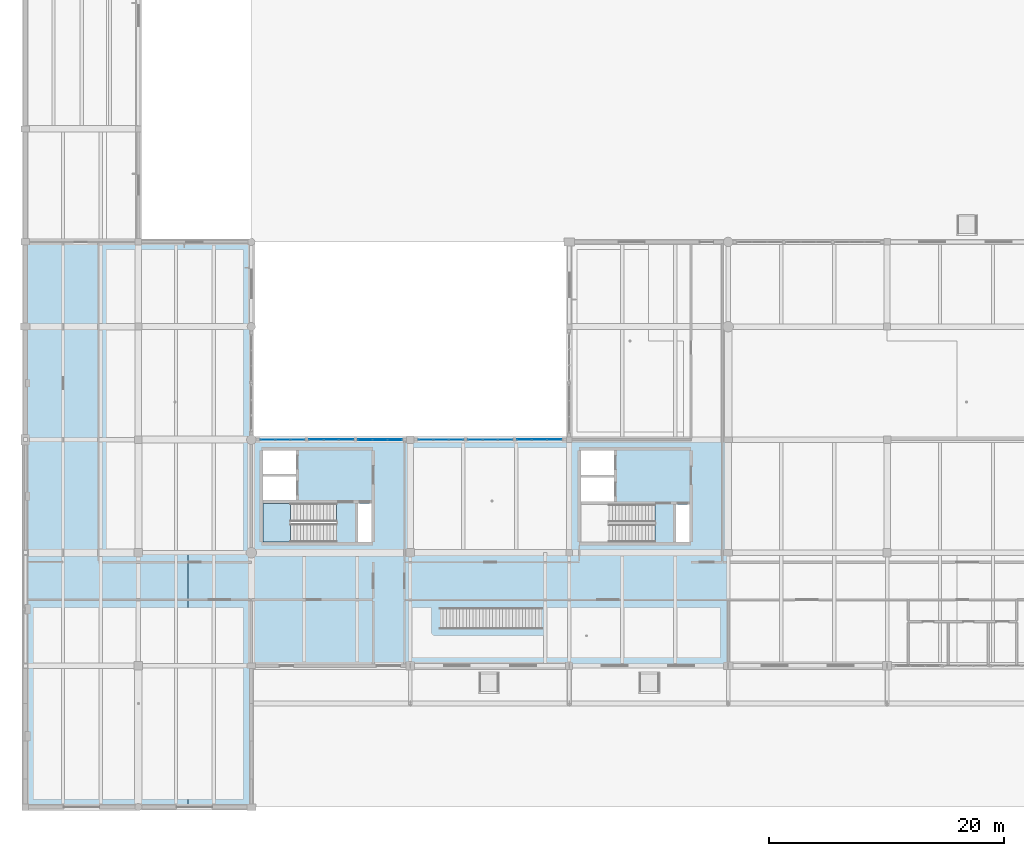
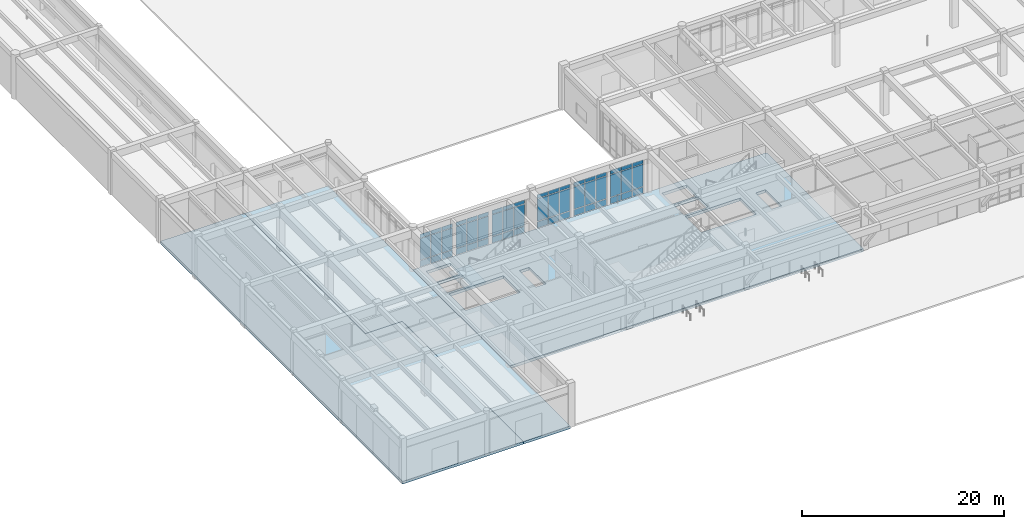
# One storey, part 88 of 138: 54 plates, 4 slabs, 7 elements without a shape of their own.
"""IFC4 building model written with IfcOpenShell, lengths in metres."""

import ifcopenshell
import ifcopenshell.guid

model = None  # the IFC model being written
_history = None  # IfcOwnerHistory: only IFC2X3 demands one
_inside = {}  # id of a spatial element -> (the spatial element, [elements in it])
_under = {}  # id of a project, library or spatial element -> (it, [spatial elements below it])
_declared = {}  # id of a project -> (the project, [libraries it declares])
_typed = {}  # id of a type object -> (the type object, [elements of that type])
_made_of = {}  # id of a material, layer set ... -> (it, [elements and type objects made of it])


def new_model(schema):
    """Start an empty IFC model of exactly this schema.

    Asked for "IFC4X3", IfcOpenShell would pick the latest addendum, in which some entities
    have other attributes; the version numbers below select the first issue.
    IFC2X3 requires an IfcOwnerHistory on every rooted entity: one is made here for all.
    """
    global model, _history
    if schema == "IFC4X3":
        model = ifcopenshell.file(schema_version=(4, 3, 0, 0))
    else:
        model = ifcopenshell.file(schema=schema)
    _inside.clear()
    _under.clear()
    _declared.clear()
    _typed.clear()
    _made_of.clear()
    _history = None
    if model.schema == "IFC2X3":
        org = make("IfcOrganization", Name="unknown")
        user = make(
            "IfcPersonAndOrganization",
            ThePerson=make("IfcPerson", FamilyName="unknown"),
            TheOrganization=org,
        )
        app = make(
            "IfcApplication",
            ApplicationDeveloper=org,
            Version="unknown",
            ApplicationFullName="unknown",
            ApplicationIdentifier="unknown",
        )
        _history = make(
            "IfcOwnerHistory",
            OwningUser=user,
            OwningApplication=app,
            ChangeAction="ADDED",
            CreationDate=0,
        )
    return model


def make(cls, **values):
    """One entity of the class cls with the attributes given. An attribute that is None is left unset."""
    return model.create_entity(
        cls, **{name: value for name, value in values.items() if value is not None}
    )


def rooted(cls, **values):
    """An entity with a GlobalId (a new one), such as an element, a storey or a relation."""
    return make(cls, GlobalId=ifcopenshell.guid.new(), OwnerHistory=_history, **values)


def si_unit(unit_type, name, prefix=None):
    """IfcSIUnit, for example si_unit("LENGTHUNIT", "METRE", prefix="MILLI")."""
    return make("IfcSIUnit", UnitType=unit_type, Prefix=prefix, Name=name)


def assignment(units):
    """IfcUnitAssignment: the units of a project."""
    return None if units is None else make("IfcUnitAssignment", Units=units)


def point(xyz):
    """IfcCartesianPoint."""
    return None if xyz is None else make("IfcCartesianPoint", Coordinates=xyz)


def direction(xyz):
    """IfcDirection."""
    return None if xyz is None else make("IfcDirection", DirectionRatios=xyz)


def frame(location, z_axis=None, x_axis=None):
    """IfcAxis2Placement3D, a coordinate frame: its origin and axes. An axis left out is left unset."""
    return make(
        "IfcAxis2Placement3D",
        Location=point(location),
        Axis=direction(z_axis),
        RefDirection=direction(x_axis),
    )


def frame_2d(location, x_axis=None):
    """IfcAxis2Placement2D, a coordinate frame in the plane: its origin and x axis."""
    return make(
        "IfcAxis2Placement2D", Location=point(location), RefDirection=direction(x_axis)
    )


def origin():
    """The frame at (0, 0, 0) with its axes left unset."""
    return frame((0.0, 0.0, 0.0))


def origin_2d():
    """The frame at (0, 0) in the plane with its x axis left unset."""
    return frame_2d((0.0, 0.0))


def place(relative_to, where):
    """IfcLocalPlacement: puts the frame where relative to a parent placement (None: the world)."""
    return make(
        "IfcLocalPlacement", PlacementRelTo=relative_to, RelativePlacement=where
    )


def context(
    kind, dimensions, precision=None, world=None, true_north=None, identifier=None
):
    """IfcGeometricRepresentationContext, for example the 3D "Model" context."""
    return make(
        "IfcGeometricRepresentationContext",
        ContextIdentifier=identifier,
        ContextType=kind,
        CoordinateSpaceDimension=dimensions,
        Precision=precision,
        WorldCoordinateSystem=world,
        TrueNorth=true_north,
    )


def subcontext(parent, identifier, kind, view, scale=None):
    """IfcGeometricRepresentationSubContext, for example "Body" below "Model"."""
    return make(
        "IfcGeometricRepresentationSubContext",
        ContextIdentifier=identifier,
        ContextType=kind,
        ParentContext=parent,
        TargetScale=scale,
        TargetView=view,
    )


def project(units=None, contexts=None):
    """IfcProject with its units and contexts."""
    return rooted(
        "IfcProject",
        Name="project",
        RepresentationContexts=contexts,
        UnitsInContext=assignment(units),
    )


def spatial(cls, under=None, at=None, **own):
    """A site, building, storey or space (cls), placed at a placement, below another one or the project."""
    s = rooted(cls, ObjectPlacement=at, **own)
    if under is not None:
        _under.setdefault(under.id(), (under, []))[1].append(s)
    return s


def polyline(points):
    """IfcPolyline through the points."""
    return make("IfcPolyline", Points=[point(p) for p in points])


def profile(cls, at=None, kind="AREA", **sizes):
    """A parametric profile (cls). Its sizes go by their IFC names, for example OverallWidth=200.0."""
    return make(cls, ProfileType=kind, Position=at, **sizes)


def rectangle(**sizes):
    """IfcRectangleProfileDef."""
    return profile("IfcRectangleProfileDef", **sizes)


def outline(outer, holes=None, kind="AREA"):
    """IfcArbitraryClosedProfileDef: a profile drawn as a closed curve; with holes, ...WithVoids."""
    if holes is None:
        return make("IfcArbitraryClosedProfileDef", ProfileType=kind, OuterCurve=outer)
    return make(
        "IfcArbitraryProfileDefWithVoids",
        ProfileType=kind,
        OuterCurve=outer,
        InnerCurves=holes,
    )


def extrude(swept, where, along, depth):
    """IfcExtrudedAreaSolid: the profile swept, set in the frame where, extruded along a direction by depth."""
    return make(
        "IfcExtrudedAreaSolid",
        SweptArea=swept,
        Position=where,
        ExtrudedDirection=direction(along),
        Depth=depth,
    )


def shape(context_of_items, identifier, shape_type, items):
    """IfcShapeRepresentation: the items that make up one representation, for example the "Body"."""
    return make(
        "IfcShapeRepresentation",
        ContextOfItems=context_of_items,
        RepresentationIdentifier=identifier,
        RepresentationType=shape_type,
        Items=items,
    )


def material(Name=None, Category=None):
    """IfcMaterial."""
    return make("IfcMaterial", Name=Name, Category=Category)


def layer(
    of_material, thickness, ventilated=None, Name=None, Category=None, Priority=None
):
    """IfcMaterialLayer: one layer of a wall or slab, of a material (None: an air gap)."""
    return make(
        "IfcMaterialLayer",
        Material=of_material,
        LayerThickness=thickness,
        IsVentilated=ventilated,
        Name=Name,
        Category=Category,
        Priority=Priority,
    )


def layer_set(layers, Name=None):
    """IfcMaterialLayerSet."""
    return make("IfcMaterialLayerSet", MaterialLayers=layers, LayerSetName=Name)


def made_of(thing, what):
    """Note that an element or type object is made of a material, layer set ...; save() writes the relation."""
    if what is not None:
        _made_of.setdefault(what.id(), (what, []))[1].append(thing)
    return thing


def type_object(cls, material=None, **own):
    """A type object (cls), such as IfcWallType, which elements share."""
    return made_of(rooted(cls, **own), material)


def element(
    cls,
    number,
    at=None,
    inside=None,
    cuts=None,
    type_object=None,
    material=None,
    context=None,
    identifier="Body",
    shape_type=None,
    held_by="IfcProductDefinitionShape",
    body=None,
    shapes=None,
    **own,
):
    """One element of the class cls, such as IfcWall. Its Tag is "e" and its number.

    at: its placement. inside: the storey or other place that contains it. cuts: it is an
    opening in that element (IfcRelVoidsElement). A single representation is given by context,
    identifier, shape_type and body (its items); several are given by shapes. held_by: the class
    of the entity that holds the representations. save() writes the other relations.
    """
    e = rooted(cls, Tag="e%d" % number, ObjectPlacement=at, **own)
    if body is not None:
        shapes = [shape(context, identifier, shape_type, body)]
    if shapes is not None:
        e.Representation = make(held_by, Representations=shapes)
    if inside is not None:
        _inside.setdefault(inside.id(), (inside, []))[1].append(e)
    if cuts is not None:
        rooted(
            "IfcRelVoidsElement", RelatingBuildingElement=cuts, RelatedOpeningElement=e
        )
    if type_object is not None:
        _typed.setdefault(type_object.id(), (type_object, []))[1].append(e)
    return made_of(e, material)


def aggregate(whole, parts):
    """IfcRelAggregates: a whole, such as a stair, and the parts it consists of."""
    return rooted("IfcRelAggregates", RelatingObject=whole, RelatedObjects=parts)


def save(model, path):
    """Write the relations noted so far, then the file.

    IfcRelAggregates (storeys below a building ...), IfcRelContainedInSpatialStructure (elements
    in a storey), IfcRelDefinesByType, IfcRelAssociatesMaterial and IfcRelDeclares: one each for
    every whole, place, type object, material and project.
    """
    for whole, parts in _under.values():
        aggregate(whole, parts)
    for where, things in _inside.values():
        rooted(
            "IfcRelContainedInSpatialStructure",
            RelatedElements=things,
            RelatingStructure=where,
        )
    for kind, things in _typed.values():
        rooted("IfcRelDefinesByType", RelatedObjects=things, RelatingType=kind)
    for what, things in _made_of.values():
        rooted("IfcRelAssociatesMaterial", RelatedObjects=things, RelatingMaterial=what)
    for by, libraries in _declared.values():
        rooted("IfcRelDeclares", RelatingContext=by, RelatedDefinitions=libraries)
    model.write(path)


model = new_model("IFC4")

# Units and contexts
model_context = context("Model", 3, precision=1e-05, world=origin(), true_north=direction((0.0, 1.0)))
body_context = subcontext(model_context, "Body", "Model", "MODEL_VIEW")
ifc_project = project(units=[si_unit("LENGTHUNIT", "METRE"), si_unit("AREAUNIT", "SQUARE_METRE"), si_unit("VOLUMEUNIT", "CUBIC_METRE"), si_unit("PLANEANGLEUNIT", "RADIAN"), si_unit("MASSUNIT", "GRAM", prefix="KILO")], contexts=[model_context])

# Site, building, storey
site_placement = place(None, origin())
site = spatial("IfcSite", under=ifc_project, at=site_placement, CompositionType="ELEMENT")
building_placement = place(site_placement, origin())
building = spatial("IfcBuilding", under=site, at=building_placement, Name="Fikremerkos Civic Library", CompositionType="ELEMENT")
storey_placement = place(building_placement, origin())
storey = spatial("IfcBuildingStorey", under=building, at=storey_placement, Name="L00", CompositionType="ELEMENT", Elevation=0.0)

# Curtain wall, plates
ifc_material_1 = material(Name="Anodized aluminium Frame", Category="aluminium")
ifc_layer_1 = layer(ifc_material_1, 0.159912109375, Name="Anodized aluminium Frame")
ifc_layer_set_1 = layer_set([ifc_layer_1], Name="Anodized aluminium Frame")
curtain_wall_type_1 = type_object("IfcCurtainWallType", Name="Unitised curtain wall CW-09 3600x3400", PredefinedType="USERDEFINED", material=ifc_layer_set_1)
curtain_wall_1_placement = place(storey_placement, origin())
curtain_wall_1 = element("IfcCurtainWall", 1, at=curtain_wall_1_placement, inside=storey, type_object=curtain_wall_type_1, Name="Unitised curtain wall CW-09 L00 #9", ObjectType="UNITISED CURTAIN WALL", PredefinedType="USERDEFINED")
ifc_material_2 = material(Name="Solar control double glazing", Category="glass")
ifc_layer_2 = layer(ifc_material_2, 0.028076171875, Name="Solar control double glazing")
ifc_layer_set_2 = layer_set([ifc_layer_2], Name="Solar control double glazing")
plate_type_1 = type_object("IfcPlateType", Name="Curtain glazing panel CWP-01 28", PredefinedType="CURTAIN_PANEL", material=ifc_layer_set_2)
plate_1_placement = place(storey_placement, frame((34.035400390625, 31.199951171875, 0.06982421875), z_axis=(0.0, 0.0, 1.0), x_axis=(1.0, 0.0, 0.0)))
plate_1 = element("IfcPlate", 2, at=plate_1_placement, type_object=plate_type_1, Name="CW-09 panel 1.1", PredefinedType="CURTAIN_PANEL", context=body_context, shape_type="SweptSolid", body=[
    extrude(rectangle(XDim=1.194580078125, YDim=0.028076171875, at=origin_2d()), origin(), (0.0, 0.0, 1.0), 0.7451171875),
])
plate_2_placement = place(storey_placement, frame((34.035400390625, 31.199951171875, 0.88525390625), z_axis=(0.0, 0.0, 1.0), x_axis=(1.0, 0.0, 0.0)))
plate_2 = element("IfcPlate", 3, at=plate_2_placement, type_object=plate_type_1, Name="CW-09 panel 1.2", PredefinedType="CURTAIN_PANEL", context=body_context, shape_type="SweptSolid", body=[
    extrude(rectangle(XDim=1.194580078125, YDim=0.028076171875, at=origin_2d()), origin(), (0.0, 0.0, 1.0), 2.699951171875),
])
plate_3_placement = place(storey_placement, frame((34.035400390625, 31.199951171875, 3.65478515625), z_axis=(0.0, 0.0, 1.0), x_axis=(1.0, 0.0, 0.0)))
plate_3 = element("IfcPlate", 4, at=plate_3_placement, type_object=plate_type_1, Name="CW-09 panel 1.3", PredefinedType="CURTAIN_PANEL", context=body_context, shape_type="SweptSolid", body=[
    extrude(rectangle(XDim=1.194580078125, YDim=0.028076171875, at=origin_2d()), origin(), (0.0, 0.0, 1.0), 0.445068359375),
])
plate_4_placement = place(storey_placement, frame((35.311279296875, 31.199951171875, 0.06982421875), z_axis=(0.0, 0.0, 1.0), x_axis=(1.0, 0.0, 0.0)))
plate_4 = element("IfcPlate", 5, at=plate_4_placement, type_object=plate_type_1, Name="CW-09 panel 2.1", PredefinedType="CURTAIN_PANEL", context=body_context, shape_type="SweptSolid", body=[
    extrude(rectangle(XDim=1.22705078125, YDim=0.028076171875, at=origin_2d()), origin(), (0.0, 0.0, 1.0), 0.7451171875),
])
plate_5_placement = place(storey_placement, frame((35.311279296875, 31.199951171875, 0.88525390625), z_axis=(0.0, 0.0, 1.0), x_axis=(1.0, 0.0, 0.0)))
plate_5 = element("IfcPlate", 6, at=plate_5_placement, type_object=plate_type_1, Name="CW-09 panel 2.2", PredefinedType="CURTAIN_PANEL", context=body_context, shape_type="SweptSolid", body=[
    extrude(rectangle(XDim=1.22705078125, YDim=0.028076171875, at=origin_2d()), origin(), (0.0, 0.0, 1.0), 2.699951171875),
])
plate_6_placement = place(storey_placement, frame((35.311279296875, 31.199951171875, 3.65478515625), z_axis=(0.0, 0.0, 1.0), x_axis=(1.0, 0.0, 0.0)))
plate_6 = element("IfcPlate", 7, at=plate_6_placement, type_object=plate_type_1, Name="CW-09 panel 2.3", PredefinedType="CURTAIN_PANEL", context=body_context, shape_type="SweptSolid", body=[
    extrude(rectangle(XDim=1.22705078125, YDim=0.028076171875, at=origin_2d()), origin(), (0.0, 0.0, 1.0), 0.445068359375),
])
plate_7_placement = place(storey_placement, frame((36.5869140625, 31.199951171875, 0.06982421875), z_axis=(0.0, 0.0, 1.0), x_axis=(1.0, 0.0, 0.0)))
plate_7 = element("IfcPlate", 8, at=plate_7_placement, type_object=plate_type_1, Name="CW-09 panel 3.1", PredefinedType="CURTAIN_PANEL", context=body_context, shape_type="SweptSolid", body=[
    extrude(rectangle(XDim=1.194580078125, YDim=0.028076171875, at=origin_2d()), origin(), (0.0, 0.0, 1.0), 0.7451171875),
])
plate_8_placement = place(storey_placement, frame((36.5869140625, 31.199951171875, 0.88525390625), z_axis=(0.0, 0.0, 1.0), x_axis=(1.0, 0.0, 0.0)))
plate_8 = element("IfcPlate", 9, at=plate_8_placement, type_object=plate_type_1, Name="CW-09 panel 3.2", PredefinedType="CURTAIN_PANEL", context=body_context, shape_type="SweptSolid", body=[
    extrude(rectangle(XDim=1.194580078125, YDim=0.028076171875, at=origin_2d()), origin(), (0.0, 0.0, 1.0), 2.699951171875),
])
plate_9_placement = place(storey_placement, frame((36.5869140625, 31.199951171875, 3.65478515625), z_axis=(0.0, 0.0, 1.0), x_axis=(1.0, 0.0, 0.0)))
plate_9 = element("IfcPlate", 10, at=plate_9_placement, type_object=plate_type_1, Name="CW-09 panel 3.3", PredefinedType="CURTAIN_PANEL", context=body_context, shape_type="SweptSolid", body=[
    extrude(rectangle(XDim=1.194580078125, YDim=0.028076171875, at=origin_2d()), origin(), (0.0, 0.0, 1.0), 0.445068359375),
])
aggregate(curtain_wall_1, [plate_1, plate_2, plate_3, plate_4, plate_5, plate_6, plate_7, plate_8, plate_9])

ifc_layer_3 = layer(ifc_material_1, 0.159912109375, Name="Anodized aluminium Frame")
ifc_layer_set_3 = layer_set([ifc_layer_3], Name="Anodized aluminium Frame")
curtain_wall_type_2 = type_object("IfcCurtainWallType", Name="Unitised curtain wall CW-06 4200x4100", PredefinedType="USERDEFINED", material=ifc_layer_set_3)
curtain_wall_2_placement = place(storey_placement, origin())
curtain_wall_2 = element("IfcCurtainWall", 11, at=curtain_wall_2_placement, inside=storey, type_object=curtain_wall_type_2, Name="Unitised curtain wall CW-06 L00 #6", ObjectType="UNITISED CURTAIN WALL", PredefinedType="USERDEFINED")
ifc_layer_4 = layer(ifc_material_2, 0.035888671875, Name="Solar control double glazing")
ifc_layer_set_4 = layer_set([ifc_layer_4], Name="Solar control double glazing")
plate_type_2 = type_object("IfcPlateType", Name="Curtain glazing panel CWP-02 36", PredefinedType="CURTAIN_PANEL", material=ifc_layer_set_4)
plate_10_placement = place(storey_placement, frame((20.600830078125, 31.199951171875, 0.06005859375), z_axis=(0.0, 0.0, 1.0), x_axis=(1.0, 0.0, 0.0)))
plate_10 = element("IfcPlate", 12, at=plate_10_placement, type_object=plate_type_2, Name="CW-06 panel 1.1", PredefinedType="CURTAIN_PANEL", context=body_context, shape_type="SweptSolid", body=[
    extrude(rectangle(XDim=1.185546875, YDim=0.035888671875, at=origin_2d()), origin(), (0.0, 0.0, 1.0), 0.760009765625),
])
plate_11_placement = place(storey_placement, frame((20.600830078125, 31.199951171875, 0.8798828125), z_axis=(0.0, 0.0, 1.0), x_axis=(1.0, 0.0, 0.0)))
plate_11 = element("IfcPlate", 13, at=plate_11_placement, type_object=plate_type_2, Name="CW-06 panel 1.2", PredefinedType="CURTAIN_PANEL", context=body_context, shape_type="SweptSolid", body=[
    extrude(rectangle(XDim=1.185546875, YDim=0.035888671875, at=origin_2d()), origin(), (0.0, 0.0, 1.0), 2.610107421875),
])
plate_12_placement = place(storey_placement, frame((20.600830078125, 31.199951171875, 3.550048828125), z_axis=(0.0, 0.0, 1.0), x_axis=(1.0, 0.0, 0.0)))
plate_12 = element("IfcPlate", 14, at=plate_12_placement, type_object=plate_type_2, Name="CW-06 panel 1.3", PredefinedType="CURTAIN_PANEL", context=body_context, shape_type="SweptSolid", body=[
    extrude(rectangle(XDim=1.185546875, YDim=0.035888671875, at=origin_2d()), origin(), (0.0, 0.0, 1.0), 0.4599609375),
])
plate_13_placement = place(storey_placement, frame((21.861083984375, 31.199951171875, 0.06005859375), z_axis=(0.0, 0.0, 1.0), x_axis=(1.0, 0.0, 0.0)))
plate_13 = element("IfcPlate", 15, at=plate_13_placement, type_object=plate_type_2, Name="CW-06 panel 2.1", PredefinedType="CURTAIN_PANEL", context=body_context, shape_type="SweptSolid", body=[
    extrude(rectangle(XDim=1.21533203125, YDim=0.035888671875, at=origin_2d()), origin(), (0.0, 0.0, 1.0), 0.760009765625),
])
plate_14_placement = place(storey_placement, frame((21.861083984375, 31.199951171875, 0.8798828125), z_axis=(0.0, 0.0, 1.0), x_axis=(1.0, 0.0, 0.0)))
plate_14 = element("IfcPlate", 16, at=plate_14_placement, type_object=plate_type_2, Name="CW-06 panel 2.2", PredefinedType="CURTAIN_PANEL", context=body_context, shape_type="SweptSolid", body=[
    extrude(rectangle(XDim=1.21533203125, YDim=0.035888671875, at=origin_2d()), origin(), (0.0, 0.0, 1.0), 2.610107421875),
])
plate_15_placement = place(storey_placement, frame((21.861083984375, 31.199951171875, 3.550048828125), z_axis=(0.0, 0.0, 1.0), x_axis=(1.0, 0.0, 0.0)))
plate_15 = element("IfcPlate", 17, at=plate_15_placement, type_object=plate_type_2, Name="CW-06 panel 2.3", PredefinedType="CURTAIN_PANEL", context=body_context, shape_type="SweptSolid", body=[
    extrude(rectangle(XDim=1.21533203125, YDim=0.035888671875, at=origin_2d()), origin(), (0.0, 0.0, 1.0), 0.4599609375),
])
plate_16_placement = place(storey_placement, frame((23.12158203125, 31.199951171875, 0.06005859375), z_axis=(0.0, 0.0, 1.0), x_axis=(1.0, 0.0, 0.0)))
plate_16 = element("IfcPlate", 18, at=plate_16_placement, type_object=plate_type_2, Name="CW-06 panel 3.1", PredefinedType="CURTAIN_PANEL", context=body_context, shape_type="SweptSolid", body=[
    extrude(rectangle(XDim=1.185546875, YDim=0.035888671875, at=origin_2d()), origin(), (0.0, 0.0, 1.0), 0.760009765625),
])
plate_17_placement = place(storey_placement, frame((23.12158203125, 31.199951171875, 0.8798828125), z_axis=(0.0, 0.0, 1.0), x_axis=(1.0, 0.0, 0.0)))
plate_17 = element("IfcPlate", 19, at=plate_17_placement, type_object=plate_type_2, Name="CW-06 panel 3.2", PredefinedType="CURTAIN_PANEL", context=body_context, shape_type="SweptSolid", body=[
    extrude(rectangle(XDim=1.185546875, YDim=0.035888671875, at=origin_2d()), origin(), (0.0, 0.0, 1.0), 2.610107421875),
])
plate_18_placement = place(storey_placement, frame((23.12158203125, 31.199951171875, 3.550048828125), z_axis=(0.0, 0.0, 1.0), x_axis=(1.0, 0.0, 0.0)))
plate_18 = element("IfcPlate", 20, at=plate_18_placement, type_object=plate_type_2, Name="CW-06 panel 3.3", PredefinedType="CURTAIN_PANEL", context=body_context, shape_type="SweptSolid", body=[
    extrude(rectangle(XDim=1.185546875, YDim=0.035888671875, at=origin_2d()), origin(), (0.0, 0.0, 1.0), 0.4599609375),
])
aggregate(curtain_wall_2, [plate_10, plate_11, plate_12, plate_13, plate_14, plate_15, plate_16, plate_17, plate_18])

ifc_layer_5 = layer(ifc_material_1, 0.159912109375, Name="Anodized aluminium Frame")
ifc_layer_set_5 = layer_set([ifc_layer_5], Name="Anodized aluminium Frame")
curtain_wall_type_3 = type_object("IfcCurtainWallType", Name="Unitised curtain wall CW-10 4000x3400", PredefinedType="USERDEFINED", material=ifc_layer_set_5)
curtain_wall_3_placement = place(storey_placement, origin())
curtain_wall_3 = element("IfcCurtainWall", 21, at=curtain_wall_3_placement, inside=storey, type_object=curtain_wall_type_3, Name="Unitised curtain wall CW-10 L00 #10", ObjectType="UNITISED CURTAIN WALL", PredefinedType="USERDEFINED")
plate_19_placement = place(storey_placement, frame((38.21044921875, 31.199951171875, 0.06982421875), z_axis=(0.0, 0.0, 1.0), x_axis=(1.0, 0.0, 0.0)))
plate_19 = element("IfcPlate", 22, at=plate_19_placement, type_object=plate_type_2, Name="CW-10 panel 1.1", PredefinedType="CURTAIN_PANEL", context=body_context, shape_type="SweptSolid", body=[
    extrude(rectangle(XDim=1.2021484375, YDim=0.035888671875, at=origin_2d()), origin(), (0.0, 0.0, 1.0), 0.7451171875),
])
plate_20_placement = place(storey_placement, frame((38.21044921875, 31.199951171875, 0.88525390625), z_axis=(0.0, 0.0, 1.0), x_axis=(1.0, 0.0, 0.0)))
plate_20 = element("IfcPlate", 23, at=plate_20_placement, type_object=plate_type_2, Name="CW-10 panel 1.2", PredefinedType="CURTAIN_PANEL", context=body_context, shape_type="SweptSolid", body=[
    extrude(rectangle(XDim=1.2021484375, YDim=0.035888671875, at=origin_2d()), origin(), (0.0, 0.0, 1.0), 2.699951171875),
])
plate_21_placement = place(storey_placement, frame((38.21044921875, 31.199951171875, 3.65478515625), z_axis=(0.0, 0.0, 1.0), x_axis=(1.0, 0.0, 0.0)))
plate_21 = element("IfcPlate", 24, at=plate_21_placement, type_object=plate_type_2, Name="CW-10 panel 1.3", PredefinedType="CURTAIN_PANEL", context=body_context, shape_type="SweptSolid", body=[
    extrude(rectangle(XDim=1.2021484375, YDim=0.035888671875, at=origin_2d()), origin(), (0.0, 0.0, 1.0), 0.445068359375),
])
plate_22_placement = place(storey_placement, frame((39.487548828125, 31.199951171875, 0.06982421875), z_axis=(0.0, 0.0, 1.0), x_axis=(1.0, 0.0, 0.0)))
plate_22 = element("IfcPlate", 25, at=plate_22_placement, type_object=plate_type_2, Name="CW-10 panel 2.1", PredefinedType="CURTAIN_PANEL", context=body_context, shape_type="SweptSolid", body=[
    extrude(rectangle(XDim=1.232177734375, YDim=0.035888671875, at=origin_2d()), origin(), (0.0, 0.0, 1.0), 0.7451171875),
])
plate_23_placement = place(storey_placement, frame((39.487548828125, 31.199951171875, 0.88525390625), z_axis=(0.0, 0.0, 1.0), x_axis=(1.0, 0.0, 0.0)))
plate_23 = element("IfcPlate", 26, at=plate_23_placement, type_object=plate_type_2, Name="CW-10 panel 2.2", PredefinedType="CURTAIN_PANEL", context=body_context, shape_type="SweptSolid", body=[
    extrude(rectangle(XDim=1.232177734375, YDim=0.035888671875, at=origin_2d()), origin(), (0.0, 0.0, 1.0), 2.699951171875),
])
plate_24_placement = place(storey_placement, frame((39.487548828125, 31.199951171875, 3.65478515625), z_axis=(0.0, 0.0, 1.0), x_axis=(1.0, 0.0, 0.0)))
plate_24 = element("IfcPlate", 27, at=plate_24_placement, type_object=plate_type_2, Name="CW-10 panel 2.3", PredefinedType="CURTAIN_PANEL", context=body_context, shape_type="SweptSolid", body=[
    extrude(rectangle(XDim=1.232177734375, YDim=0.035888671875, at=origin_2d()), origin(), (0.0, 0.0, 1.0), 0.445068359375),
])
plate_25_placement = place(storey_placement, frame((40.7646484375, 31.199951171875, 0.06982421875), z_axis=(0.0, 0.0, 1.0), x_axis=(1.0, 0.0, 0.0)))
plate_25 = element("IfcPlate", 28, at=plate_25_placement, type_object=plate_type_2, Name="CW-10 panel 3.1", PredefinedType="CURTAIN_PANEL", context=body_context, shape_type="SweptSolid", body=[
    extrude(rectangle(XDim=1.2021484375, YDim=0.035888671875, at=origin_2d()), origin(), (0.0, 0.0, 1.0), 0.7451171875),
])
plate_26_placement = place(storey_placement, frame((40.7646484375, 31.199951171875, 0.88525390625), z_axis=(0.0, 0.0, 1.0), x_axis=(1.0, 0.0, 0.0)))
plate_26 = element("IfcPlate", 29, at=plate_26_placement, type_object=plate_type_2, Name="CW-10 panel 3.2", PredefinedType="CURTAIN_PANEL", context=body_context, shape_type="SweptSolid", body=[
    extrude(rectangle(XDim=1.2021484375, YDim=0.035888671875, at=origin_2d()), origin(), (0.0, 0.0, 1.0), 2.699951171875),
])
plate_27_placement = place(storey_placement, frame((40.7646484375, 31.199951171875, 3.65478515625), z_axis=(0.0, 0.0, 1.0), x_axis=(1.0, 0.0, 0.0)))
plate_27 = element("IfcPlate", 30, at=plate_27_placement, type_object=plate_type_2, Name="CW-10 panel 3.3", PredefinedType="CURTAIN_PANEL", context=body_context, shape_type="SweptSolid", body=[
    extrude(rectangle(XDim=1.2021484375, YDim=0.035888671875, at=origin_2d()), origin(), (0.0, 0.0, 1.0), 0.445068359375),
])
aggregate(curtain_wall_3, [plate_19, plate_20, plate_21, plate_22, plate_23, plate_24, plate_25, plate_26, plate_27])

ifc_layer_6 = layer(ifc_material_1, 0.159912109375, Name="Anodized aluminium Frame")
ifc_layer_set_6 = layer_set([ifc_layer_6], Name="Anodized aluminium Frame")
curtain_wall_type_4 = type_object("IfcCurtainWallType", Name="Unitised curtain wall CW-07 3500x4100", PredefinedType="USERDEFINED", material=ifc_layer_set_6)
curtain_wall_4_placement = place(storey_placement, origin())
curtain_wall_4 = element("IfcCurtainWall", 31, at=curtain_wall_4_placement, inside=storey, type_object=curtain_wall_type_4, Name="Unitised curtain wall CW-07 L00 #7", ObjectType="UNITISED CURTAIN WALL", PredefinedType="USERDEFINED")
ifc_material_3 = material(Name="Insulated aluminium spandrel", Category="aluminium")
ifc_layer_7 = layer(ifc_material_3, 0.044921875, Name="Insulated aluminium spandrel")
ifc_layer_set_7 = layer_set([ifc_layer_7], Name="Insulated aluminium spandrel")
plate_type_3 = type_object("IfcPlateType", Name="Curtain spandrel panel CSP-01 45", PredefinedType="CURTAIN_PANEL", material=ifc_layer_set_7)
plate_28_placement = place(storey_placement, frame((24.72705078125, 31.199951171875, 0.06982421875), z_axis=(0.0, 0.0, 1.0), x_axis=(1.0, 0.0, 0.0)))
plate_28 = element("IfcPlate", 32, at=plate_28_placement, type_object=plate_type_3, Name="CW-07 panel 1.1", PredefinedType="CURTAIN_PANEL", context=body_context, shape_type="SweptSolid", body=[
    extrude(rectangle(XDim=1.185546875, YDim=0.044921875, at=origin_2d()), origin(), (0.0, 0.0, 1.0), 0.7451171875),
])
plate_29_placement = place(storey_placement, frame((24.72705078125, 31.199951171875, 0.885009765625), z_axis=(0.0, 0.0, 1.0), x_axis=(1.0, 0.0, 0.0)))
plate_29 = element("IfcPlate", 33, at=plate_29_placement, type_object=plate_type_3, Name="CW-07 panel 1.2", PredefinedType="CURTAIN_PANEL", context=body_context, shape_type="SweptSolid", body=[
    extrude(rectangle(XDim=1.185546875, YDim=0.044921875, at=origin_2d()), origin(), (0.0, 0.0, 1.0), 2.60009765625),
])
plate_30_placement = place(storey_placement, frame((24.72705078125, 31.199951171875, 3.55517578125), z_axis=(0.0, 0.0, 1.0), x_axis=(1.0, 0.0, 0.0)))
plate_30 = element("IfcPlate", 34, at=plate_30_placement, type_object=plate_type_3, Name="CW-07 panel 1.3", PredefinedType="CURTAIN_PANEL", context=body_context, shape_type="SweptSolid", body=[
    extrude(rectangle(XDim=1.185546875, YDim=0.044921875, at=origin_2d()), origin(), (0.0, 0.0, 1.0), 0.445068359375),
])
plate_31_placement = place(storey_placement, frame((25.987548828125, 31.199951171875, 0.06982421875), z_axis=(0.0, 0.0, 1.0), x_axis=(1.0, 0.0, 0.0)))
plate_31 = element("IfcPlate", 35, at=plate_31_placement, type_object=plate_type_3, Name="CW-07 panel 2.1", PredefinedType="CURTAIN_PANEL", context=body_context, shape_type="SweptSolid", body=[
    extrude(rectangle(XDim=1.21533203125, YDim=0.044921875, at=origin_2d()), origin(), (0.0, 0.0, 1.0), 0.7451171875),
])
plate_32_placement = place(storey_placement, frame((25.987548828125, 31.199951171875, 0.885009765625), z_axis=(0.0, 0.0, 1.0), x_axis=(1.0, 0.0, 0.0)))
plate_32 = element("IfcPlate", 36, at=plate_32_placement, type_object=plate_type_3, Name="CW-07 panel 2.2", PredefinedType="CURTAIN_PANEL", context=body_context, shape_type="SweptSolid", body=[
    extrude(rectangle(XDim=1.21533203125, YDim=0.044921875, at=origin_2d()), origin(), (0.0, 0.0, 1.0), 2.60009765625),
])
plate_33_placement = place(storey_placement, frame((25.987548828125, 31.199951171875, 3.55517578125), z_axis=(0.0, 0.0, 1.0), x_axis=(1.0, 0.0, 0.0)))
plate_33 = element("IfcPlate", 37, at=plate_33_placement, type_object=plate_type_3, Name="CW-07 panel 2.3", PredefinedType="CURTAIN_PANEL", context=body_context, shape_type="SweptSolid", body=[
    extrude(rectangle(XDim=1.21533203125, YDim=0.044921875, at=origin_2d()), origin(), (0.0, 0.0, 1.0), 0.445068359375),
])
plate_34_placement = place(storey_placement, frame((27.248046875, 31.199951171875, 0.06982421875), z_axis=(0.0, 0.0, 1.0), x_axis=(1.0, 0.0, 0.0)))
plate_34 = element("IfcPlate", 38, at=plate_34_placement, type_object=plate_type_3, Name="CW-07 panel 3.1", PredefinedType="CURTAIN_PANEL", context=body_context, shape_type="SweptSolid", body=[
    extrude(rectangle(XDim=1.185546875, YDim=0.044921875, at=origin_2d()), origin(), (0.0, 0.0, 1.0), 0.7451171875),
])
plate_35_placement = place(storey_placement, frame((27.248046875, 31.199951171875, 0.885009765625), z_axis=(0.0, 0.0, 1.0), x_axis=(1.0, 0.0, 0.0)))
plate_35 = element("IfcPlate", 39, at=plate_35_placement, type_object=plate_type_3, Name="CW-07 panel 3.2", PredefinedType="CURTAIN_PANEL", context=body_context, shape_type="SweptSolid", body=[
    extrude(rectangle(XDim=1.185546875, YDim=0.044921875, at=origin_2d()), origin(), (0.0, 0.0, 1.0), 2.60009765625),
])
plate_36_placement = place(storey_placement, frame((27.248046875, 31.199951171875, 3.55517578125), z_axis=(0.0, 0.0, 1.0), x_axis=(1.0, 0.0, 0.0)))
plate_36 = element("IfcPlate", 40, at=plate_36_placement, type_object=plate_type_3, Name="CW-07 panel 3.3", PredefinedType="CURTAIN_PANEL", context=body_context, shape_type="SweptSolid", body=[
    extrude(rectangle(XDim=1.185546875, YDim=0.044921875, at=origin_2d()), origin(), (0.0, 0.0, 1.0), 0.445068359375),
])
aggregate(curtain_wall_4, [plate_28, plate_29, plate_30, plate_31, plate_32, plate_33, plate_34, plate_35, plate_36])

ifc_layer_8 = layer(ifc_material_1, 0.159912109375, Name="Anodized aluminium Frame")
ifc_layer_set_8 = layer_set([ifc_layer_8], Name="Anodized aluminium Frame")
curtain_wall_type_5 = type_object("IfcCurtainWallType", Name="Unitised curtain wall CW-11 3200x3400", PredefinedType="USERDEFINED", material=ifc_layer_set_8)
curtain_wall_5_placement = place(storey_placement, origin())
curtain_wall_5 = element("IfcCurtainWall", 41, at=curtain_wall_5_placement, inside=storey, type_object=curtain_wall_type_5, Name="Unitised curtain wall CW-11 L00 #11", ObjectType="UNITISED CURTAIN WALL", PredefinedType="USERDEFINED")
plate_37_placement = place(storey_placement, frame((42.38671875, 31.199951171875, 0.06494140625), z_axis=(0.0, 0.0, 1.0), x_axis=(1.0, 0.0, 0.0)))
plate_37 = element("IfcPlate", 42, at=plate_37_placement, type_object=plate_type_3, Name="CW-11 panel 1.1", PredefinedType="CURTAIN_PANEL", context=body_context, shape_type="SweptSolid", body=[
    extrude(rectangle(XDim=1.2021484375, YDim=0.044921875, at=origin_2d()), origin(), (0.0, 0.0, 1.0), 0.75244140625),
])
plate_38_placement = place(storey_placement, frame((42.38671875, 31.199951171875, 0.882568359375), z_axis=(0.0, 0.0, 1.0), x_axis=(1.0, 0.0, 0.0)))
plate_38 = element("IfcPlate", 43, at=plate_38_placement, type_object=plate_type_3, Name="CW-11 panel 1.2", PredefinedType="CURTAIN_PANEL", context=body_context, shape_type="SweptSolid", body=[
    extrude(rectangle(XDim=1.2021484375, YDim=0.044921875, at=origin_2d()), origin(), (0.0, 0.0, 1.0), 2.705078125),
])
plate_39_placement = place(storey_placement, frame((42.38671875, 31.199951171875, 3.65234375), z_axis=(0.0, 0.0, 1.0), x_axis=(1.0, 0.0, 0.0)))
plate_39 = element("IfcPlate", 44, at=plate_39_placement, type_object=plate_type_3, Name="CW-11 panel 1.3", PredefinedType="CURTAIN_PANEL", context=body_context, shape_type="SweptSolid", body=[
    extrude(rectangle(XDim=1.2021484375, YDim=0.044921875, at=origin_2d()), origin(), (0.0, 0.0, 1.0), 0.452392578125),
])
plate_40_placement = place(storey_placement, frame((43.663818359375, 31.199951171875, 0.06494140625), z_axis=(0.0, 0.0, 1.0), x_axis=(1.0, 0.0, 0.0)))
plate_40 = element("IfcPlate", 45, at=plate_40_placement, type_object=plate_type_3, Name="CW-11 panel 2.1", PredefinedType="CURTAIN_PANEL", context=body_context, shape_type="SweptSolid", body=[
    extrude(rectangle(XDim=1.232177734375, YDim=0.044921875, at=origin_2d()), origin(), (0.0, 0.0, 1.0), 0.75244140625),
])
plate_41_placement = place(storey_placement, frame((43.663818359375, 31.199951171875, 0.882568359375), z_axis=(0.0, 0.0, 1.0), x_axis=(1.0, 0.0, 0.0)))
plate_41 = element("IfcPlate", 46, at=plate_41_placement, type_object=plate_type_3, Name="CW-11 panel 2.2", PredefinedType="CURTAIN_PANEL", context=body_context, shape_type="SweptSolid", body=[
    extrude(rectangle(XDim=1.232177734375, YDim=0.044921875, at=origin_2d()), origin(), (0.0, 0.0, 1.0), 2.705078125),
])
plate_42_placement = place(storey_placement, frame((43.663818359375, 31.199951171875, 3.65234375), z_axis=(0.0, 0.0, 1.0), x_axis=(1.0, 0.0, 0.0)))
plate_42 = element("IfcPlate", 47, at=plate_42_placement, type_object=plate_type_3, Name="CW-11 panel 2.3", PredefinedType="CURTAIN_PANEL", context=body_context, shape_type="SweptSolid", body=[
    extrude(rectangle(XDim=1.232177734375, YDim=0.044921875, at=origin_2d()), origin(), (0.0, 0.0, 1.0), 0.452392578125),
])
plate_43_placement = place(storey_placement, frame((44.94091796875, 31.199951171875, 0.06494140625), z_axis=(0.0, 0.0, 1.0), x_axis=(1.0, 0.0, 0.0)))
plate_43 = element("IfcPlate", 48, at=plate_43_placement, type_object=plate_type_3, Name="CW-11 panel 3.1", PredefinedType="CURTAIN_PANEL", context=body_context, shape_type="SweptSolid", body=[
    extrude(rectangle(XDim=1.2021484375, YDim=0.044921875, at=origin_2d()), origin(), (0.0, 0.0, 1.0), 0.75244140625),
])
plate_44_placement = place(storey_placement, frame((44.94091796875, 31.199951171875, 0.882568359375), z_axis=(0.0, 0.0, 1.0), x_axis=(1.0, 0.0, 0.0)))
plate_44 = element("IfcPlate", 49, at=plate_44_placement, type_object=plate_type_3, Name="CW-11 panel 3.2", PredefinedType="CURTAIN_PANEL", context=body_context, shape_type="SweptSolid", body=[
    extrude(rectangle(XDim=1.2021484375, YDim=0.044921875, at=origin_2d()), origin(), (0.0, 0.0, 1.0), 2.705078125),
])
plate_45_placement = place(storey_placement, frame((44.94091796875, 31.199951171875, 3.65234375), z_axis=(0.0, 0.0, 1.0), x_axis=(1.0, 0.0, 0.0)))
plate_45 = element("IfcPlate", 50, at=plate_45_placement, type_object=plate_type_3, Name="CW-11 panel 3.3", PredefinedType="CURTAIN_PANEL", context=body_context, shape_type="SweptSolid", body=[
    extrude(rectangle(XDim=1.2021484375, YDim=0.044921875, at=origin_2d()), origin(), (0.0, 0.0, 1.0), 0.452392578125),
])
aggregate(curtain_wall_5, [plate_37, plate_38, plate_39, plate_40, plate_41, plate_42, plate_43, plate_44, plate_45])

ifc_layer_9 = layer(ifc_material_1, 0.159912109375, Name="Anodized aluminium Frame")
ifc_layer_set_9 = layer_set([ifc_layer_9], Name="Anodized aluminium Frame")
curtain_wall_type_6 = type_object("IfcCurtainWallType", Name="Unitised curtain wall CW-08 4500x4100", PredefinedType="USERDEFINED", material=ifc_layer_set_9)
curtain_wall_6_placement = place(storey_placement, origin())
curtain_wall_6 = element("IfcCurtainWall", 51, at=curtain_wall_6_placement, inside=storey, type_object=curtain_wall_type_6, Name="Unitised curtain wall CW-08 L00 #8", ObjectType="UNITISED CURTAIN WALL", PredefinedType="USERDEFINED")
ifc_layer_10 = layer(ifc_material_3, 0.054931640625, Name="Insulated aluminium spandrel")
ifc_layer_set_10 = layer_set([ifc_layer_10], Name="Insulated aluminium spandrel")
plate_type_4 = type_object("IfcPlateType", Name="Curtain spandrel panel CSP-02 55", PredefinedType="CURTAIN_PANEL", material=ifc_layer_set_10)
plate_46_placement = place(storey_placement, frame((28.853271484375, 31.199951171875, 0.06982421875), z_axis=(0.0, 0.0, 1.0), x_axis=(1.0, 0.0, 0.0)))
plate_46 = element("IfcPlate", 52, at=plate_46_placement, type_object=plate_type_4, Name="CW-08 panel 1.1", PredefinedType="CURTAIN_PANEL", context=body_context, shape_type="SweptSolid", body=[
    extrude(rectangle(XDim=1.185546875, YDim=0.054931640625, at=origin_2d()), origin(), (0.0, 0.0, 1.0), 0.7451171875),
])
plate_47_placement = place(storey_placement, frame((28.853271484375, 31.199951171875, 0.885009765625), z_axis=(0.0, 0.0, 1.0), x_axis=(1.0, 0.0, 0.0)))
plate_47 = element("IfcPlate", 53, at=plate_47_placement, type_object=plate_type_4, Name="CW-08 panel 1.2", PredefinedType="CURTAIN_PANEL", context=body_context, shape_type="SweptSolid", body=[
    extrude(rectangle(XDim=1.185546875, YDim=0.054931640625, at=origin_2d()), origin(), (0.0, 0.0, 1.0), 2.60009765625),
])
plate_48_placement = place(storey_placement, frame((28.853271484375, 31.199951171875, 3.55517578125), z_axis=(0.0, 0.0, 1.0), x_axis=(1.0, 0.0, 0.0)))
plate_48 = element("IfcPlate", 54, at=plate_48_placement, type_object=plate_type_4, Name="CW-08 panel 1.3", PredefinedType="CURTAIN_PANEL", context=body_context, shape_type="SweptSolid", body=[
    extrude(rectangle(XDim=1.185546875, YDim=0.054931640625, at=origin_2d()), origin(), (0.0, 0.0, 1.0), 0.445068359375),
])
plate_49_placement = place(storey_placement, frame((30.11376953125, 31.199951171875, 0.06982421875), z_axis=(0.0, 0.0, 1.0), x_axis=(1.0, 0.0, 0.0)))
plate_49 = element("IfcPlate", 55, at=plate_49_placement, type_object=plate_type_4, Name="CW-08 panel 2.1", PredefinedType="CURTAIN_PANEL", context=body_context, shape_type="SweptSolid", body=[
    extrude(rectangle(XDim=1.21533203125, YDim=0.054931640625, at=origin_2d()), origin(), (0.0, 0.0, 1.0), 0.7451171875),
])
plate_50_placement = place(storey_placement, frame((30.11376953125, 31.199951171875, 0.885009765625), z_axis=(0.0, 0.0, 1.0), x_axis=(1.0, 0.0, 0.0)))
plate_50 = element("IfcPlate", 56, at=plate_50_placement, type_object=plate_type_4, Name="CW-08 panel 2.2", PredefinedType="CURTAIN_PANEL", context=body_context, shape_type="SweptSolid", body=[
    extrude(rectangle(XDim=1.21533203125, YDim=0.054931640625, at=origin_2d()), origin(), (0.0, 0.0, 1.0), 2.60009765625),
])
plate_51_placement = place(storey_placement, frame((30.11376953125, 31.199951171875, 3.55517578125), z_axis=(0.0, 0.0, 1.0), x_axis=(1.0, 0.0, 0.0)))
plate_51 = element("IfcPlate", 57, at=plate_51_placement, type_object=plate_type_4, Name="CW-08 panel 2.3", PredefinedType="CURTAIN_PANEL", context=body_context, shape_type="SweptSolid", body=[
    extrude(rectangle(XDim=1.21533203125, YDim=0.054931640625, at=origin_2d()), origin(), (0.0, 0.0, 1.0), 0.445068359375),
])
plate_52_placement = place(storey_placement, frame((31.374267578125, 31.199951171875, 0.06982421875), z_axis=(0.0, 0.0, 1.0), x_axis=(1.0, 0.0, 0.0)))
plate_52 = element("IfcPlate", 58, at=plate_52_placement, type_object=plate_type_4, Name="CW-08 panel 3.1", PredefinedType="CURTAIN_PANEL", context=body_context, shape_type="SweptSolid", body=[
    extrude(rectangle(XDim=1.185546875, YDim=0.054931640625, at=origin_2d()), origin(), (0.0, 0.0, 1.0), 0.7451171875),
])
plate_53_placement = place(storey_placement, frame((31.374267578125, 31.199951171875, 0.885009765625), z_axis=(0.0, 0.0, 1.0), x_axis=(1.0, 0.0, 0.0)))
plate_53 = element("IfcPlate", 59, at=plate_53_placement, type_object=plate_type_4, Name="CW-08 panel 3.2", PredefinedType="CURTAIN_PANEL", context=body_context, shape_type="SweptSolid", body=[
    extrude(rectangle(XDim=1.185546875, YDim=0.054931640625, at=origin_2d()), origin(), (0.0, 0.0, 1.0), 2.60009765625),
])
plate_54_placement = place(storey_placement, frame((31.374267578125, 31.199951171875, 3.55517578125), z_axis=(0.0, 0.0, 1.0), x_axis=(1.0, 0.0, 0.0)))
plate_54 = element("IfcPlate", 60, at=plate_54_placement, type_object=plate_type_4, Name="CW-08 panel 3.3", PredefinedType="CURTAIN_PANEL", context=body_context, shape_type="SweptSolid", body=[
    extrude(rectangle(XDim=1.185546875, YDim=0.054931640625, at=origin_2d()), origin(), (0.0, 0.0, 1.0), 0.445068359375),
])
aggregate(curtain_wall_6, [plate_46, plate_47, plate_48, plate_49, plate_50, plate_51, plate_52, plate_53, plate_54])

# Stair, slab
ifc_material_4 = material(Name="Concrete C40/50", Category="concrete")
stair_type = type_object("IfcStairType", Name="Half turn stair ST-HT-02 W1550 H5400", PredefinedType="HALF_TURN_STAIR", material=ifc_material_4)
stair_placement = place(storey_placement, origin())
stair = element("IfcStair", 61, at=stair_placement, inside=storey, type_object=stair_type, Name="L00 ST-K1", PredefinedType="HALF_TURN_STAIR")
ifc_layer_11 = layer(ifc_material_4, 0.199951171875, Name="Concrete C40/50")
ifc_layer_set_11 = layer_set([ifc_layer_11], Name="Concrete C40/50")
slab_type_1 = type_object("IfcSlabType", Name="Stair landing slab SLS-01 200", PredefinedType="LANDING", material=ifc_layer_set_11)
slab_1_placement = place(storey_placement, frame((0.0, 0.0, 2.5)))
slab_1 = element("IfcSlab", 62, at=slab_1_placement, type_object=slab_type_1, Name="ST-K1 landing 1", PredefinedType="LANDING", context=body_context, shape_type="SweptSolid", body=[
    extrude(outline(polyline([(22.530029296875, 25.800048828125), (20.199951171875, 25.800048828125), (20.199951171875, 22.5), (22.530029296875, 22.5), (22.530029296875, 25.800048828125)])), origin(), (0.0, 0.0, 1.0), 0.199951171875),
])
aggregate(stair, [slab_1])

# Slabs
ifc_layer_12 = layer(ifc_material_4, 0.340087890625, Name="Concrete C40/50")
ifc_layer_set_12 = layer_set([ifc_layer_12], Name="Concrete C40/50")
slab_type_2 = type_object("IfcSlabType", Name="Suspended floor slab SFS-01 340", PredefinedType="FLOOR", material=ifc_layer_set_12)
slab_2_placement = place(storey_placement, frame((0.0, 0.0, -0.340087890625)))
element("IfcSlab", 63, at=slab_2_placement, inside=storey, type_object=slab_type_2, Name="Floor slab SFS-01 SLB-L00-V4-M-1", PredefinedType="FLOOR", context=body_context, shape_type="SweptSolid", body=[
    extrude(outline(polyline([(19.199951171875, 12.0), (59.699951171875, 12.0), (59.699951171875, 31.199951171875), (19.199951171875, 31.199951171875), (19.199951171875, 12.0)]), holes=[polyline([(20.199951171875, 22.5), (26.449951171875, 22.5), (26.449951171875, 25.800048828125), (20.199951171875, 25.800048828125), (20.199951171875, 22.5)]), polyline([(20.199951171875, 26.06005859375), (23.0, 26.06005859375), (23.0, 28.10009765625), (20.199951171875, 28.10009765625), (20.199951171875, 26.06005859375)]), polyline([(20.199951171875, 28.260009765625), (23.0, 28.260009765625), (23.0, 30.300048828125), (20.199951171875, 30.300048828125), (20.199951171875, 28.260009765625)]), polyline([(28.260009765625, 22.5), (29.39990234375, 22.5), (29.39990234375, 25.800048828125), (28.260009765625, 25.800048828125), (28.260009765625, 22.5)]), polyline([(47.199951171875, 22.5), (53.5, 22.5), (53.5, 25.699951171875), (47.199951171875, 25.699951171875), (47.199951171875, 22.5)]), polyline([(47.199951171875, 25.9599609375), (50.0, 25.9599609375), (50.0, 28.0), (47.199951171875, 28.0), (47.199951171875, 25.9599609375)]), polyline([(47.199951171875, 28.199951171875), (50.0, 28.199951171875), (50.0, 30.300048828125), (47.199951171875, 30.300048828125), (47.199951171875, 28.199951171875)]), polyline([(55.260009765625, 22.5), (56.39990234375, 22.5), (56.39990234375, 25.699951171875), (55.260009765625, 25.699951171875), (55.260009765625, 22.5)])]), origin(), (0.0, 0.0, 1.0), 0.340087890625),
])
ifc_layer_13 = layer(ifc_material_4, 0.320068359375, Name="Concrete C40/50")
ifc_layer_set_13 = layer_set([ifc_layer_13], Name="Concrete C40/50")
slab_type_3 = type_object("IfcSlabType", Name="Suspended floor slab SFS-02 320", PredefinedType="FLOOR", material=ifc_layer_set_13)
slab_3_placement = place(storey_placement, frame((0.0, 0.0, -0.320068359375)))
element("IfcSlab", 64, at=slab_3_placement, inside=storey, type_object=slab_type_3, Name="Floor slab SFS-02 SLB-L00-V5-S-1L1", PredefinedType="FLOOR", context=body_context, shape_type="SweptSolid", body=[
    extrude(outline(polyline([(0.0, 0.0), (13.820068359375, 0.0), (13.820068359375, 23.99609375), (9.595947265625, 23.99609375), (9.595947265625, 48.0), (0.0, 48.0), (0.0, 0.0)])), origin(), (0.0, 0.0, 1.0), 0.320068359375),
])
slab_4_placement = place(storey_placement, frame((0.0, 0.0, -0.320068359375)))
element("IfcSlab", 65, at=slab_4_placement, inside=storey, type_object=slab_type_3, Name="Floor slab SFS-02 SLB-L00-V5-S-1L2", PredefinedType="FLOOR", context=body_context, shape_type="SweptSolid", body=[
    extrude(outline(polyline([(13.827880859375, 0.0), (19.199951171875, 0.0), (19.199951171875, 48.0), (9.60400390625, 48.0), (9.60400390625, 24.00390625), (13.827880859375, 24.00390625), (13.827880859375, 0.0)])), origin(), (0.0, 0.0, 1.0), 0.320068359375),
])

save(model, "model.ifc")
